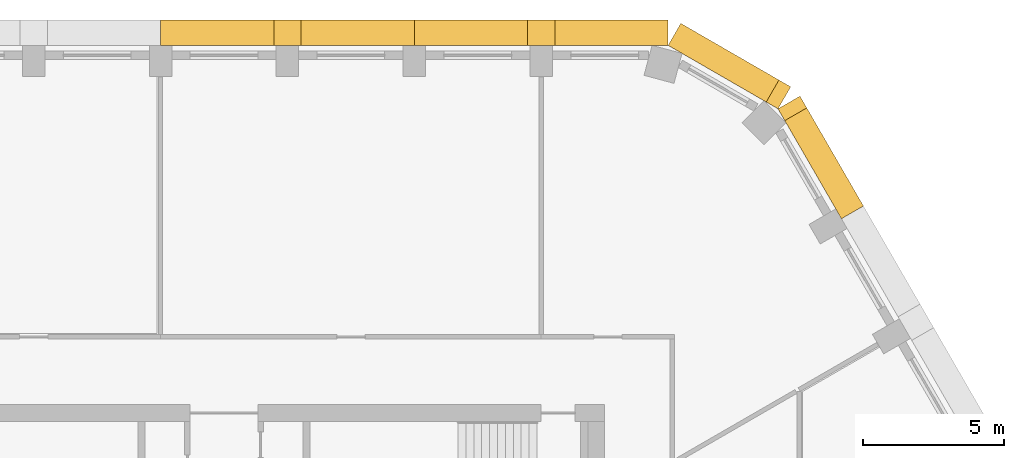
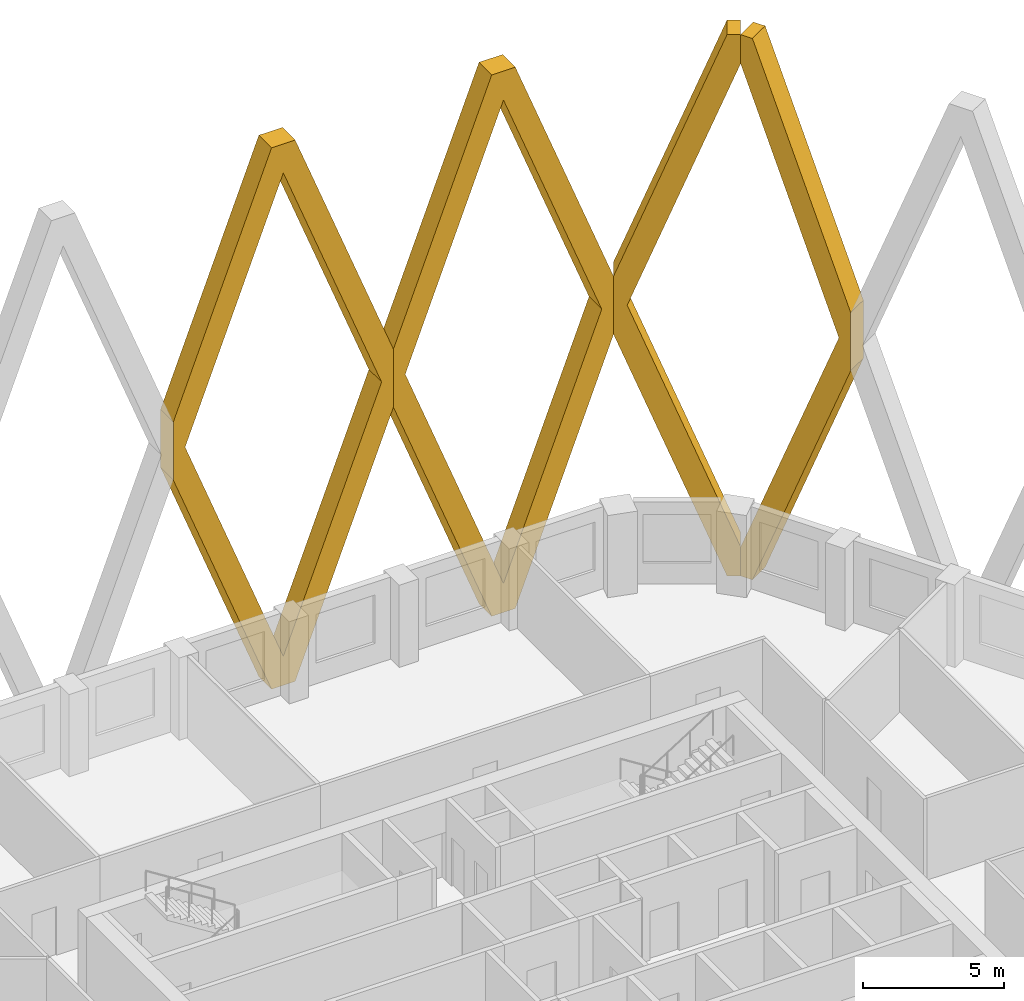
# One storey, part 15 of 15: 4 coverings.
"""IFC4 building model written with IfcOpenShell, lengths in metres."""

from ifc_helpers import new_model, si_unit, direction, frame, origin, place, context, subcontext, project, spatial, polyline, outline, extrude, material, type_object, element, save


model = new_model("IFC4")

# Units and contexts
model_context = context("Model", 3, precision=1e-05, world=origin(), true_north=direction((0.0, 1.0)))
body_context = subcontext(model_context, "Body", "Model", "MODEL_VIEW")
ifc_project = project(units=[si_unit("LENGTHUNIT", "METRE"), si_unit("AREAUNIT", "SQUARE_METRE"), si_unit("VOLUMEUNIT", "CUBIC_METRE"), si_unit("PLANEANGLEUNIT", "RADIAN"), si_unit("MASSUNIT", "GRAM", prefix="KILO")], contexts=[model_context])

# Site, building, storey
site_placement = place(None, origin())
site = spatial("IfcSite", under=ifc_project, at=site_placement, CompositionType="ELEMENT")
building_placement = place(site_placement, origin())
building = spatial("IfcBuilding", under=site, at=building_placement, Name="Dhurran Vertical Campus", CompositionType="ELEMENT")
storey_placement = place(building_placement, frame((0.0, 0.0, 207.300048828125)))
storey = spatial("IfcBuildingStorey", under=building, at=storey_placement, Name="L51", CompositionType="ELEMENT", Elevation=207.300048828125)

# Coverings
ifc_material = material(Name="Precast concrete C50/60", Category="concrete")
covering_type = type_object("IfcCoveringType", Name="Folded precast fin lattice diamond", PredefinedType="USERDEFINED", material=ifc_material)
covering_1_placement = place(storey_placement, frame((21.897216796875, 17.83837890625, 0.0), z_axis=(0.865896406789, 0.500223362819, 0.0), x_axis=(-0.500223362819, 0.865896406789, 0.0)))
element("IfcCovering", 1, at=covering_1_placement, inside=storey, type_object=covering_type, Name="FN1 L51.012", ObjectType="FIN", PredefinedType="USERDEFINED", context=body_context, shape_type="SweptSolid", body=[
    extrude(outline(polyline([(4.017822265625, 0.0), (0.0, 10.4462890625), (0.0, 12.95361328125), (4.017822265625, 23.39990234375), (4.5, 23.39990234375), (4.5, 22.146484375), (0.482177734375, 11.699951171875), (4.5, 1.253662109375), (4.5, 0.0), (4.017822265625, 0.0)])), origin(), (0.0, 0.0, 1.0), 0.89990234375),
])
covering_2_placement = place(storey_placement, frame((19.647216796875, 21.735595703125, 0.0), z_axis=(0.50001992892, 0.866013897511, 0.0), x_axis=(-0.866013897511, 0.50001992892, 0.0)))
element("IfcCovering", 2, at=covering_2_placement, inside=storey, type_object=covering_type, Name="FN1 L51.013", ObjectType="FIN", PredefinedType="USERDEFINED", context=body_context, shape_type="SweptSolid", body=[
    extrude(outline(polyline([(4.5, 10.4462890625), (0.482177734375, 0.0), (0.0, 0.0), (0.0, 1.253662109375), (4.017822265625, 11.699951171875), (0.0, 22.146484375), (0.0, 23.39990234375), (0.482177734375, 23.39990234375), (4.5, 12.95361328125), (4.5, 10.4462890625)])), origin(), (0.0, 0.0, 1.0), 0.89990234375),
])
for number, where, z_axis, x_axis, name in (
    (3, (15.75, 23.985595703125, 0.0), (0.0, 1.0, 0.0), (-1.0, 0.0, 0.0), "FN1 L51.014"),
    (4, (6.75, 23.985595703125, 0.0), (0.0, 1.0, 0.0), (-1.0, 0.0, 0.0), "FN1 L51.015"),
):
    element("IfcCovering", number, at=place(storey_placement, frame(where, z_axis=z_axis, x_axis=x_axis)), inside=storey, type_object=covering_type, Name=name, ObjectType="FIN", PredefinedType="USERDEFINED", context=body_context, shape_type="SweptSolid", body=[
        extrude(outline(polyline([(9.0, 12.95361328125), (9.0, 10.4462890625), (4.982177734375, 0.0), (4.017822265625, 0.0), (0.0, 10.4462890625), (0.0, 12.95361328125), (4.017822265625, 23.39990234375), (4.982177734375, 23.39990234375), (9.0, 12.95361328125)]), holes=[polyline([(8.517822265625, 11.699951171875), (4.5, 22.146484375), (0.482177734375, 11.699951171875), (4.5, 1.253662109375), (8.517822265625, 11.699951171875)])]), origin(), (0.0, 0.0, 1.0), 0.89990234375),
    ])

save(model, "model.ifc")
